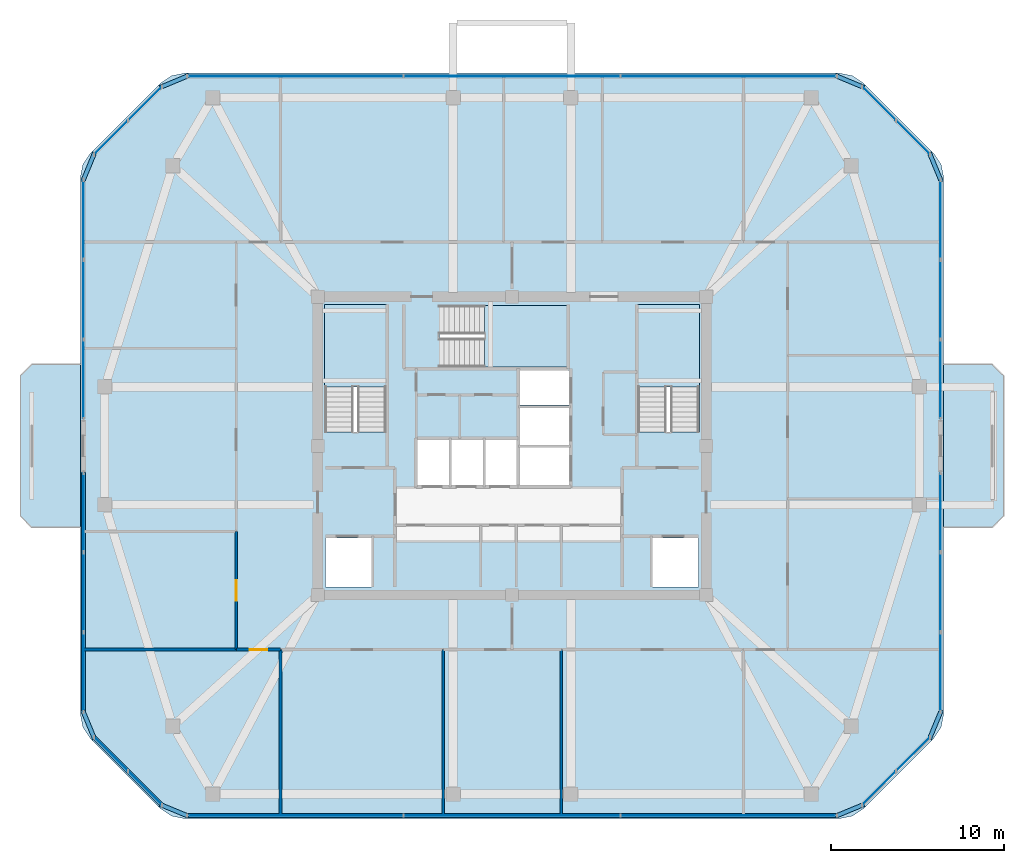
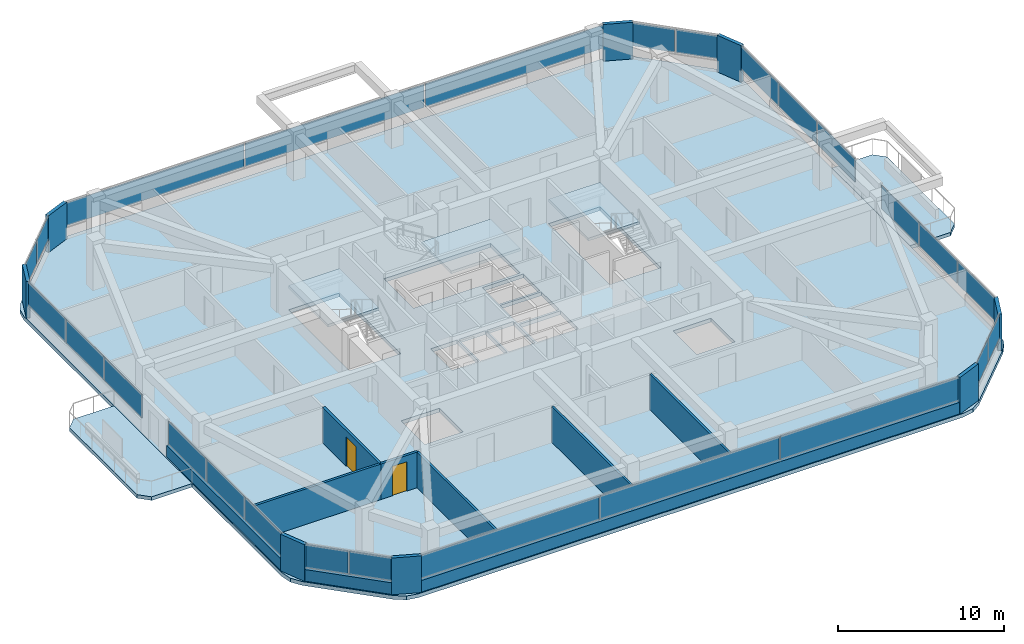
# One storey, part 8 of 14: 34 plates, 9 walls, 6 slabs, 2 doors, 2 openings, 13 elements without a shape of their own.
"""IFC4 building model written with IfcOpenShell, lengths in metres."""

from ifc_helpers import new_model, si_unit, derived_unit, direction, frame, frame_2d, origin, origin_2d, place, context, subcontext, project, spatial, polyline, rectangle, outline, extrude, material, layer, layer_set, type_object, element, fill, aggregate, save


model = new_model("IFC4")

# Units and contexts
model_context = context("Model", 3, precision=1e-05, world=origin(), true_north=direction((0.0, 1.0)))
body_context = subcontext(model_context, "Body", "Model", "MODEL_VIEW")
ifc_project = project(units=[si_unit("LENGTHUNIT", "METRE"), si_unit("AREAUNIT", "SQUARE_METRE"), si_unit("VOLUMEUNIT", "CUBIC_METRE"), si_unit("PLANEANGLEUNIT", "RADIAN"), si_unit("MASSUNIT", "GRAM", prefix="KILO"), derived_unit("THERMALTRANSMITTANCEUNIT", [(si_unit("POWERUNIT", "WATT"), 1), (si_unit("LENGTHUNIT", "METRE"), -2), (si_unit("THERMODYNAMICTEMPERATUREUNIT", "KELVIN"), -1)])], contexts=[model_context])

# Site, building, storey
site_placement = place(None, origin())
site = spatial("IfcSite", under=ifc_project, at=site_placement, CompositionType="ELEMENT")
building_placement = place(site_placement, origin())
building = spatial("IfcBuilding", under=site, at=building_placement, Name="Koralith Skygarden Medical Center", CompositionType="ELEMENT")
storey_placement = place(building_placement, frame((0.0, 0.0, 257.219970703125)))
storey = spatial("IfcBuildingStorey", under=building, at=storey_placement, Name="L66", CompositionType="ELEMENT", Elevation=257.219970703125)

# Curtain wall, plates
ifc_material_1 = material(Name="Clear Laminated Glass", Category="glass")
curtain_wall_type = type_object("IfcCurtainWallType", Name="CW-6 Zone 5 Upper Clinical Curtain Wall", PredefinedType="NOTDEFINED", material=ifc_material_1)
curtain_wall_1_placement = place(storey_placement, origin())
curtain_wall_1 = element("IfcCurtainWall", 1, at=curtain_wall_1_placement, inside=storey, type_object=curtain_wall_type, Name="Curtain Wall CW-L66-S", PredefinedType="NOTDEFINED")
ifc_layer_1 = layer(ifc_material_1, 0.0400390625)
ifc_layer_set_1 = layer_set([ifc_layer_1], Name="Clear Laminated Glass")
plate_type_1 = type_object("IfcPlateType", Name="CW-6 Hurricane Laminated IGU Panel 40", PredefinedType="CURTAIN_PANEL", material=ifc_layer_set_1)
plate_1_placement = place(storey_placement, frame((24.5029296875, 4.580078125, 0.919921875), z_axis=(0.0, 0.0, 1.0), x_axis=(1.0, 0.0, 0.0)))
plate_1 = element("IfcPlate", 2, at=plate_1_placement, type_object=plate_type_1, Name="CW-L66-S Glazed Panel 1", PredefinedType="CURTAIN_PANEL", context=body_context, shape_type="SweptSolid", body=[
    extrude(rectangle(XDim=12.406982421875, YDim=0.0400390625, at=origin_2d()), origin(), (0.0, 0.0, 1.0), 1.699951171875),
])
plate_2_placement = place(storey_placement, frame((37.0, 4.580078125, 0.919921875), z_axis=(0.0, 0.0, 1.0), x_axis=(1.0, 0.0, 0.0)))
plate_2 = element("IfcPlate", 3, at=plate_2_placement, type_object=plate_type_1, Name="CW-L66-S Glazed Panel 2", PredefinedType="CURTAIN_PANEL", context=body_context, shape_type="SweptSolid", body=[
    extrude(rectangle(XDim=12.406982421875, YDim=0.0400390625, at=origin_2d()), origin(), (0.0, 0.0, 1.0), 1.699951171875),
])
plate_3_placement = place(storey_placement, frame((49.4970703125, 4.580078125, 0.919921875), z_axis=(0.0, 0.0, 1.0), x_axis=(1.0, 0.0, 0.0)))
plate_3 = element("IfcPlate", 4, at=plate_3_placement, type_object=plate_type_1, Name="CW-L66-S Glazed Panel 3", PredefinedType="CURTAIN_PANEL", context=body_context, shape_type="SweptSolid", body=[
    extrude(rectangle(XDim=12.406982421875, YDim=0.0400390625, at=origin_2d()), origin(), (0.0, 0.0, 1.0), 1.699951171875),
])
aggregate(curtain_wall_1, [plate_1, plate_2, plate_3])

curtain_wall_2_placement = place(storey_placement, origin())
curtain_wall_2 = element("IfcCurtainWall", 5, at=curtain_wall_2_placement, inside=storey, type_object=curtain_wall_type, Name="Curtain Wall CW-L66-SE", PredefinedType="NOTDEFINED")
plate_4_placement = place(storey_placement, frame((58.177001953125, 6.162109375, 0.919921875), z_axis=(0.0, 0.0, 1.0), x_axis=(0.707106781187, 0.707106781187, 0.0)))
plate_4 = element("IfcPlate", 6, at=plate_4_placement, type_object=plate_type_1, Name="CW-L66-SE Glazed Panel 1", PredefinedType="CURTAIN_PANEL", context=body_context, shape_type="SweptSolid", body=[
    extrude(rectangle(XDim=2.68408203125, YDim=0.0400390625, at=origin_2d()), origin(), (0.0, 0.0, 1.0), 1.699951171875),
])
plate_5_placement = place(storey_placement, frame((60.137939453125, 8.123046875, 0.919921875), z_axis=(0.0, 0.0, 1.0), x_axis=(0.707106781187, 0.707106781187, 0.0)))
plate_5 = element("IfcPlate", 7, at=plate_5_placement, type_object=plate_type_1, Name="CW-L66-SE Glazed Panel 2", PredefinedType="CURTAIN_PANEL", context=body_context, shape_type="SweptSolid", body=[
    extrude(rectangle(XDim=2.68408203125, YDim=0.0400390625, at=origin_2d()), origin(), (0.0, 0.0, 1.0), 1.699951171875),
])
aggregate(curtain_wall_2, [plate_4, plate_5])

curtain_wall_3_placement = place(storey_placement, origin())
curtain_wall_3 = element("IfcCurtainWall", 8, at=curtain_wall_3_placement, inside=storey, type_object=curtain_wall_type, Name="Curtain Wall CW-L66-E-L", PredefinedType="NOTDEFINED")
plate_6_placement = place(storey_placement, frame((61.719970703125, 12.85595703125, 0.919921875), z_axis=(0.0, 0.0, 1.0), x_axis=(0.0, 1.0, 0.0)))
plate_6 = element("IfcPlate", 9, at=plate_6_placement, type_object=plate_type_1, Name="CW-L66-E-L Glazed Panel 1", PredefinedType="CURTAIN_PANEL", context=body_context, shape_type="SweptSolid", body=[
    extrude(rectangle(XDim=4.511962890625, YDim=0.0400390625, at=origin_2d()), origin(), (0.0, 0.0, 1.0), 1.699951171875),
])
plate_7_placement = place(storey_placement, frame((61.719970703125, 17.45703125, 0.919921875), z_axis=(0.0, 0.0, 1.0), x_axis=(0.0, 1.0, 0.0)))
plate_7 = element("IfcPlate", 10, at=plate_7_placement, type_object=plate_type_1, Name="CW-L66-E-L Glazed Panel 2", PredefinedType="CURTAIN_PANEL", context=body_context, shape_type="SweptSolid", body=[
    extrude(rectangle(XDim=4.511962890625, YDim=0.0400390625, at=origin_2d()), origin(), (0.0, 0.0, 1.0), 1.699951171875),
])
plate_8_placement = place(storey_placement, frame((61.719970703125, 22.05908203125, 0.919921875), z_axis=(0.0, 0.0, 1.0), x_axis=(0.0, 1.0, 0.0)))
plate_8 = element("IfcPlate", 11, at=plate_8_placement, type_object=plate_type_1, Name="CW-L66-E-L Glazed Panel 3", PredefinedType="CURTAIN_PANEL", context=body_context, shape_type="SweptSolid", body=[
    extrude(rectangle(XDim=4.511962890625, YDim=0.0400390625, at=origin_2d()), origin(), (0.0, 0.0, 1.0), 1.699951171875),
])
aggregate(curtain_wall_3, [plate_6, plate_7, plate_8])

curtain_wall_4_placement = place(storey_placement, origin())
curtain_wall_4 = element("IfcCurtainWall", 12, at=curtain_wall_4_placement, inside=storey, type_object=curtain_wall_type, Name="Curtain Wall CW-L66-E-R", PredefinedType="NOTDEFINED")
plate_9_placement = place(storey_placement, frame((61.719970703125, 29.740966796875, 0.919921875), z_axis=(0.0, 0.0, 1.0), x_axis=(0.0, 1.0, 0.0)))
plate_9 = element("IfcPlate", 13, at=plate_9_placement, type_object=plate_type_1, Name="CW-L66-E-R Glazed Panel 1", PredefinedType="CURTAIN_PANEL", context=body_context, shape_type="SweptSolid", body=[
    extrude(rectangle(XDim=4.511962890625, YDim=0.0400390625, at=origin_2d()), origin(), (0.0, 0.0, 1.0), 1.699951171875),
])
plate_10_placement = place(storey_placement, frame((61.719970703125, 34.343017578125, 0.919921875), z_axis=(0.0, 0.0, 1.0), x_axis=(0.0, 1.0, 0.0)))
plate_10 = element("IfcPlate", 14, at=plate_10_placement, type_object=plate_type_1, Name="CW-L66-E-R Glazed Panel 2", PredefinedType="CURTAIN_PANEL", context=body_context, shape_type="SweptSolid", body=[
    extrude(rectangle(XDim=4.511962890625, YDim=0.0400390625, at=origin_2d()), origin(), (0.0, 0.0, 1.0), 1.699951171875),
])
plate_11_placement = place(storey_placement, frame((61.719970703125, 38.944091796875, 0.919921875), z_axis=(0.0, 0.0, 1.0), x_axis=(0.0, 1.0, 0.0)))
plate_11 = element("IfcPlate", 15, at=plate_11_placement, type_object=plate_type_1, Name="CW-L66-E-R Glazed Panel 3", PredefinedType="CURTAIN_PANEL", context=body_context, shape_type="SweptSolid", body=[
    extrude(rectangle(XDim=4.511962890625, YDim=0.0400390625, at=origin_2d()), origin(), (0.0, 0.0, 1.0), 1.699951171875),
])
aggregate(curtain_wall_4, [plate_9, plate_10, plate_11])

curtain_wall_5_placement = place(storey_placement, origin())
curtain_wall_5 = element("IfcCurtainWall", 16, at=curtain_wall_5_placement, inside=storey, type_object=curtain_wall_type, Name="Curtain Wall CW-L66-NE", PredefinedType="NOTDEFINED")
plate_12_placement = place(storey_placement, frame((60.137939453125, 43.677001953125, 0.919921875), z_axis=(0.0, 0.0, 1.0), x_axis=(-0.707106781187, 0.707106781187, 0.0)))
plate_12 = element("IfcPlate", 17, at=plate_12_placement, type_object=plate_type_1, Name="CW-L66-NE Glazed Panel 1", PredefinedType="CURTAIN_PANEL", context=body_context, shape_type="SweptSolid", body=[
    extrude(rectangle(XDim=2.68408203125, YDim=0.0400390625, at=origin_2d()), origin(), (0.0, 0.0, 1.0), 1.699951171875),
])
plate_13_placement = place(storey_placement, frame((58.177001953125, 45.637939453125, 0.919921875), z_axis=(0.0, 0.0, 1.0), x_axis=(-0.707106781187, 0.707106781187, 0.0)))
plate_13 = element("IfcPlate", 18, at=plate_13_placement, type_object=plate_type_1, Name="CW-L66-NE Glazed Panel 2", PredefinedType="CURTAIN_PANEL", context=body_context, shape_type="SweptSolid", body=[
    extrude(rectangle(XDim=2.68408203125, YDim=0.0400390625, at=origin_2d()), origin(), (0.0, 0.0, 1.0), 1.699951171875),
])
aggregate(curtain_wall_5, [plate_12, plate_13])

curtain_wall_6_placement = place(storey_placement, origin())
curtain_wall_6 = element("IfcCurtainWall", 19, at=curtain_wall_6_placement, inside=storey, type_object=curtain_wall_type, Name="Curtain Wall CW-L66-N", PredefinedType="NOTDEFINED")
plate_14_placement = place(storey_placement, frame((49.4970703125, 47.219970703125, 0.919921875), z_axis=(0.0, 0.0, 1.0), x_axis=(-1.0, 0.0, 0.0)))
plate_14 = element("IfcPlate", 20, at=plate_14_placement, type_object=plate_type_1, Name="CW-L66-N Glazed Panel 1", PredefinedType="CURTAIN_PANEL", context=body_context, shape_type="SweptSolid", body=[
    extrude(rectangle(XDim=12.406982421875, YDim=0.0400390625, at=origin_2d()), origin(), (0.0, 0.0, 1.0), 1.699951171875),
])
plate_15_placement = place(storey_placement, frame((37.0, 47.219970703125, 0.919921875), z_axis=(0.0, 0.0, 1.0), x_axis=(-1.0, 0.0, 0.0)))
plate_15 = element("IfcPlate", 21, at=plate_15_placement, type_object=plate_type_1, Name="CW-L66-N Glazed Panel 2", PredefinedType="CURTAIN_PANEL", context=body_context, shape_type="SweptSolid", body=[
    extrude(rectangle(XDim=12.406982421875, YDim=0.0400390625, at=origin_2d()), origin(), (0.0, 0.0, 1.0), 1.699951171875),
])
plate_16_placement = place(storey_placement, frame((24.5029296875, 47.219970703125, 0.919921875), z_axis=(0.0, 0.0, 1.0), x_axis=(-1.0, 0.0, 0.0)))
plate_16 = element("IfcPlate", 22, at=plate_16_placement, type_object=plate_type_1, Name="CW-L66-N Glazed Panel 3", PredefinedType="CURTAIN_PANEL", context=body_context, shape_type="SweptSolid", body=[
    extrude(rectangle(XDim=12.406982421875, YDim=0.0400390625, at=origin_2d()), origin(), (0.0, 0.0, 1.0), 1.699951171875),
])
aggregate(curtain_wall_6, [plate_14, plate_15, plate_16])

curtain_wall_7_placement = place(storey_placement, origin())
curtain_wall_7 = element("IfcCurtainWall", 23, at=curtain_wall_7_placement, inside=storey, type_object=curtain_wall_type, Name="Curtain Wall CW-L66-NW", PredefinedType="NOTDEFINED")
plate_17_placement = place(storey_placement, frame((15.822998046875, 45.637939453125, 0.919921875), z_axis=(0.0, 0.0, 1.0), x_axis=(-0.707106781187, -0.707106781187, 0.0)))
plate_17 = element("IfcPlate", 24, at=plate_17_placement, type_object=plate_type_1, Name="CW-L66-NW Glazed Panel 1", PredefinedType="CURTAIN_PANEL", context=body_context, shape_type="SweptSolid", body=[
    extrude(rectangle(XDim=2.68408203125, YDim=0.0400390625, at=origin_2d()), origin(), (0.0, 0.0, 1.0), 1.699951171875),
])
plate_18_placement = place(storey_placement, frame((13.862060546875, 43.677001953125, 0.919921875), z_axis=(0.0, 0.0, 1.0), x_axis=(-0.707106781187, -0.707106781187, 0.0)))
plate_18 = element("IfcPlate", 25, at=plate_18_placement, type_object=plate_type_1, Name="CW-L66-NW Glazed Panel 2", PredefinedType="CURTAIN_PANEL", context=body_context, shape_type="SweptSolid", body=[
    extrude(rectangle(XDim=2.68408203125, YDim=0.0400390625, at=origin_2d()), origin(), (0.0, 0.0, 1.0), 1.699951171875),
])
aggregate(curtain_wall_7, [plate_17, plate_18])

curtain_wall_8_placement = place(storey_placement, origin())
curtain_wall_8 = element("IfcCurtainWall", 26, at=curtain_wall_8_placement, inside=storey, type_object=curtain_wall_type, Name="Curtain Wall CW-L66-W-L", PredefinedType="NOTDEFINED")
plate_19_placement = place(storey_placement, frame((12.280029296875, 38.944091796875, 0.919921875), z_axis=(0.0, 0.0, 1.0), x_axis=(0.0, -1.0, 0.0)))
plate_19 = element("IfcPlate", 27, at=plate_19_placement, type_object=plate_type_1, Name="CW-L66-W-L Glazed Panel 1", PredefinedType="CURTAIN_PANEL", context=body_context, shape_type="SweptSolid", body=[
    extrude(rectangle(XDim=4.511962890625, YDim=0.0400390625, at=origin_2d()), origin(), (0.0, 0.0, 1.0), 1.699951171875),
])
plate_20_placement = place(storey_placement, frame((12.280029296875, 34.343017578125, 0.919921875), z_axis=(0.0, 0.0, 1.0), x_axis=(0.0, -1.0, 0.0)))
plate_20 = element("IfcPlate", 28, at=plate_20_placement, type_object=plate_type_1, Name="CW-L66-W-L Glazed Panel 2", PredefinedType="CURTAIN_PANEL", context=body_context, shape_type="SweptSolid", body=[
    extrude(rectangle(XDim=4.511962890625, YDim=0.0400390625, at=origin_2d()), origin(), (0.0, 0.0, 1.0), 1.699951171875),
])
plate_21_placement = place(storey_placement, frame((12.280029296875, 29.740966796875, 0.919921875), z_axis=(0.0, 0.0, 1.0), x_axis=(0.0, -1.0, 0.0)))
plate_21 = element("IfcPlate", 29, at=plate_21_placement, type_object=plate_type_1, Name="CW-L66-W-L Glazed Panel 3", PredefinedType="CURTAIN_PANEL", context=body_context, shape_type="SweptSolid", body=[
    extrude(rectangle(XDim=4.511962890625, YDim=0.0400390625, at=origin_2d()), origin(), (0.0, 0.0, 1.0), 1.699951171875),
])
aggregate(curtain_wall_8, [plate_19, plate_20, plate_21])

curtain_wall_9_placement = place(storey_placement, origin())
curtain_wall_9 = element("IfcCurtainWall", 30, at=curtain_wall_9_placement, inside=storey, type_object=curtain_wall_type, Name="Curtain Wall CW-L66-W-R", PredefinedType="NOTDEFINED")
plate_22_placement = place(storey_placement, frame((12.280029296875, 22.05908203125, 0.919921875), z_axis=(0.0, 0.0, 1.0), x_axis=(0.0, -1.0, 0.0)))
plate_22 = element("IfcPlate", 31, at=plate_22_placement, type_object=plate_type_1, Name="CW-L66-W-R Glazed Panel 1", PredefinedType="CURTAIN_PANEL", context=body_context, shape_type="SweptSolid", body=[
    extrude(rectangle(XDim=4.511962890625, YDim=0.0400390625, at=origin_2d()), origin(), (0.0, 0.0, 1.0), 1.699951171875),
])
plate_23_placement = place(storey_placement, frame((12.280029296875, 17.45703125, 0.919921875), z_axis=(0.0, 0.0, 1.0), x_axis=(0.0, -1.0, 0.0)))
plate_23 = element("IfcPlate", 32, at=plate_23_placement, type_object=plate_type_1, Name="CW-L66-W-R Glazed Panel 2", PredefinedType="CURTAIN_PANEL", context=body_context, shape_type="SweptSolid", body=[
    extrude(rectangle(XDim=4.511962890625, YDim=0.0400390625, at=origin_2d()), origin(), (0.0, 0.0, 1.0), 1.699951171875),
])
plate_24_placement = place(storey_placement, frame((12.280029296875, 12.85595703125, 0.919921875), z_axis=(0.0, 0.0, 1.0), x_axis=(0.0, -1.0, 0.0)))
plate_24 = element("IfcPlate", 33, at=plate_24_placement, type_object=plate_type_1, Name="CW-L66-W-R Glazed Panel 3", PredefinedType="CURTAIN_PANEL", context=body_context, shape_type="SweptSolid", body=[
    extrude(rectangle(XDim=4.511962890625, YDim=0.0400390625, at=origin_2d()), origin(), (0.0, 0.0, 1.0), 1.699951171875),
])
aggregate(curtain_wall_9, [plate_22, plate_23, plate_24])

curtain_wall_10_placement = place(storey_placement, origin())
curtain_wall_10 = element("IfcCurtainWall", 34, at=curtain_wall_10_placement, inside=storey, type_object=curtain_wall_type, Name="Curtain Wall CW-L66-SW", PredefinedType="NOTDEFINED")
plate_25_placement = place(storey_placement, frame((13.862060546875, 8.123046875, 0.919921875), z_axis=(0.0, 0.0, 1.0), x_axis=(0.707106781187, -0.707106781187, 0.0)))
plate_25 = element("IfcPlate", 35, at=plate_25_placement, type_object=plate_type_1, Name="CW-L66-SW Glazed Panel 1", PredefinedType="CURTAIN_PANEL", context=body_context, shape_type="SweptSolid", body=[
    extrude(rectangle(XDim=2.68408203125, YDim=0.0400390625, at=origin_2d()), origin(), (0.0, 0.0, 1.0), 1.699951171875),
])
plate_26_placement = place(storey_placement, frame((15.822998046875, 6.162109375, 0.919921875), z_axis=(0.0, 0.0, 1.0), x_axis=(0.707106781187, -0.707106781187, 0.0)))
plate_26 = element("IfcPlate", 36, at=plate_26_placement, type_object=plate_type_1, Name="CW-L66-SW Glazed Panel 2", PredefinedType="CURTAIN_PANEL", context=body_context, shape_type="SweptSolid", body=[
    extrude(rectangle(XDim=2.68408203125, YDim=0.0400390625, at=origin_2d()), origin(), (0.0, 0.0, 1.0), 1.699951171875),
])
aggregate(curtain_wall_10, [plate_25, plate_26])

# Slabs
ifc_material_2 = material(Name="Concrete C45/55", Category="concrete")
ifc_layer_2 = layer(ifc_material_2, 0.260009765625)
ifc_layer_set_2 = layer_set([ifc_layer_2], Name="Concrete C45/55")
slab_type_1 = type_object("IfcSlabType", Name="Cantilevered Planted Balcony Slab 260", PredefinedType="FLOOR", material=ifc_layer_set_2)
slab_1_placement = place(storey_placement, frame((0.0, 0.0, -0.260009765625)))
element("IfcSlab", 37, at=slab_1_placement, inside=storey, type_object=slab_type_1, Name="L66 E Planted Sky-Garden Balcony Slab", PredefinedType="FLOOR", context=body_context, shape_type="SweptSolid", body=[
    extrude(outline(polyline([(61.89990234375, 21.199951171875), (64.699951171875, 21.199951171875), (65.35009765625, 21.85009765625), (65.35009765625, 29.949951171875), (64.699951171875, 30.60009765625), (61.89990234375, 30.60009765625), (61.89990234375, 21.199951171875)])), origin(), (0.0, 0.0, 1.0), 0.260009765625),
])
slab_2_placement = place(storey_placement, frame((0.0, 0.0, -0.260009765625)))
element("IfcSlab", 38, at=slab_2_placement, inside=storey, type_object=slab_type_1, Name="L66 W Planted Sky-Garden Balcony Slab", PredefinedType="FLOOR", context=body_context, shape_type="SweptSolid", body=[
    extrude(outline(polyline([(9.300048828125, 21.199951171875), (12.10009765625, 21.199951171875), (12.10009765625, 30.60009765625), (9.300048828125, 30.60009765625), (8.64990234375, 29.949951171875), (8.64990234375, 21.85009765625), (9.300048828125, 21.199951171875)])), origin(), (0.0, 0.0, 1.0), 0.260009765625),
])

# Stair, slab
stair_type = type_object("IfcStairType", Name="Core Exit Dogleg Concrete Stair", PredefinedType="HALF_TURN_STAIR", material=ifc_material_2)
stair_1_placement = place(storey_placement, origin())
stair_1 = element("IfcStair", 39, at=stair_1_placement, inside=storey, type_object=stair_type, Name="L66 Smokeproof Exit Stair ST1", PredefinedType="HALF_TURN_STAIR")
ifc_layer_3 = layer(ifc_material_2, 0.199951171875)
ifc_layer_set_3 = layer_set([ifc_layer_3], Name="Concrete C45/55")
slab_type_2 = type_object("IfcSlabType", Name="Core Exit Concrete Stair Landing 200", PredefinedType="LANDING", material=ifc_layer_set_3)
slab_3_placement = place(storey_placement, frame((0.0, 0.0, 1.60009765625)))
slab_3 = element("IfcSlab", 40, at=slab_3_placement, type_object=slab_type_2, Name="ST1 landing 1", PredefinedType="LANDING", context=body_context, shape_type="SweptSolid", body=[
    extrude(outline(polyline([(29.75, 29.31005859375), (29.75, 34.050048828125), (26.199951171875, 34.050048828125), (26.199951171875, 29.31005859375), (29.75, 29.31005859375)])), origin(), (0.0, 0.0, 1.0), 0.199951171875),
])
aggregate(stair_1, [slab_3])

stair_2_placement = place(storey_placement, origin())
stair_2 = element("IfcStair", 41, at=stair_2_placement, inside=storey, type_object=stair_type, Name="L66 Smokeproof Exit Stair ST2", PredefinedType="HALF_TURN_STAIR")
slab_4_placement = place(storey_placement, frame((0.0, 0.0, 1.60009765625)))
slab_4 = element("IfcSlab", 42, at=slab_4_placement, type_object=slab_type_2, Name="ST2 landing 1", PredefinedType="LANDING", context=body_context, shape_type="SweptSolid", body=[
    extrude(outline(polyline([(47.800048828125, 29.31005859375), (47.800048828125, 34.050048828125), (44.25, 34.050048828125), (44.25, 29.31005859375), (47.800048828125, 29.31005859375)])), origin(), (0.0, 0.0, 1.0), 0.199951171875),
])
aggregate(stair_2, [slab_4])

stair_3_placement = place(storey_placement, origin())
stair_3 = element("IfcStair", 43, at=stair_3_placement, inside=storey, type_object=stair_type, Name="L66 Smokeproof Exit Stair ST3", PredefinedType="HALF_TURN_STAIR")
slab_5_placement = place(storey_placement, frame((0.0, 0.0, 1.60009765625)))
slab_5 = element("IfcSlab", 44, at=slab_5_placement, type_object=slab_type_2, Name="ST3 landing 1", PredefinedType="LANDING", context=body_context, shape_type="SweptSolid", body=[
    extrude(outline(polyline([(35.409912109375, 30.449951171875), (40.199951171875, 30.449951171875), (40.199951171875, 34.0), (35.409912109375, 34.0), (35.409912109375, 30.449951171875)])), origin(), (0.0, 0.0, 1.0), 0.199951171875),
])
aggregate(stair_3, [slab_5])

# Slab
ifc_layer_4 = layer(ifc_material_2, 0.280029296875)
ifc_layer_set_4 = layer_set([ifc_layer_4], Name="Concrete C45/55")
slab_type_3 = type_object("IfcSlabType", Name="Post-Tensioned Ward Floor Plate 280", PredefinedType="FLOOR", material=ifc_layer_set_4)
slab_6_placement = place(storey_placement, frame((0.0, 0.0, -0.280029296875)))
element("IfcSlab", 45, at=slab_6_placement, inside=storey, type_object=slab_type_3, Name="Level L66 Structural Floor Slab", PredefinedType="FLOOR", context=body_context, shape_type="SweptSolid", body=[
    extrude(outline(polyline([(16.714111328125, 4.986083984375), (17.363037109375, 4.552001953125), (18.1279296875, 4.39990234375), (55.8720703125, 4.39990234375), (56.636962890625, 4.552001953125), (57.285888671875, 4.986083984375), (61.31396484375, 9.013916015625), (61.748046875, 9.6630859375), (61.89990234375, 10.427978515625), (61.89990234375, 41.3720703125), (61.748046875, 42.136962890625), (61.31396484375, 42.785888671875), (57.285888671875, 46.81396484375), (56.636962890625, 47.248046875), (55.8720703125, 47.39990234375), (18.1279296875, 47.39990234375), (17.363037109375, 47.248046875), (16.714111328125, 46.81396484375), (12.68603515625, 42.785888671875), (12.251953125, 42.136962890625), (12.10009765625, 41.3720703125), (12.10009765625, 10.427978515625), (12.251953125, 9.6630859375), (12.68603515625, 9.013916015625), (16.714111328125, 4.986083984375)]), holes=[polyline([(26.199951171875, 26.705078125), (29.75, 26.705078125), (29.75, 34.050048828125), (26.199951171875, 34.050048828125), (26.199951171875, 26.705078125)]), polyline([(44.25, 26.705078125), (47.800048828125, 26.705078125), (47.800048828125, 34.050048828125), (44.25, 34.050048828125), (44.25, 26.705078125)]), polyline([(32.804931640625, 30.449951171875), (40.199951171875, 30.449951171875), (40.199951171875, 34.0), (32.804931640625, 34.0), (32.804931640625, 30.449951171875)]), polyline([(26.25, 17.75), (28.89990234375, 17.75), (28.89990234375, 20.60009765625), (26.25, 20.60009765625), (26.25, 17.75)]), polyline([(45.10009765625, 17.75), (47.75, 17.75), (47.75, 20.60009765625), (45.10009765625, 20.60009765625), (45.10009765625, 17.75)]), polyline([(31.550048828125, 23.64990234375), (33.39990234375, 23.64990234375), (33.39990234375, 26.25), (31.550048828125, 26.25), (31.550048828125, 23.64990234375)]), polyline([(33.5, 23.64990234375), (35.35009765625, 23.64990234375), (35.35009765625, 26.25), (33.5, 26.25), (33.5, 23.64990234375)]), polyline([(35.449951171875, 23.64990234375), (37.300048828125, 23.64990234375), (37.300048828125, 26.25), (35.449951171875, 26.25), (35.449951171875, 23.64990234375)]), polyline([(37.449951171875, 23.64990234375), (40.300048828125, 23.64990234375), (40.300048828125, 25.800048828125), (37.449951171875, 25.800048828125), (37.449951171875, 23.64990234375)]), polyline([(37.449951171875, 25.949951171875), (40.300048828125, 25.949951171875), (40.300048828125, 28.10009765625), (37.449951171875, 28.10009765625), (37.449951171875, 25.949951171875)]), polyline([(37.449951171875, 28.25), (40.300048828125, 28.25), (40.300048828125, 30.25), (37.449951171875, 30.25), (37.449951171875, 28.25)])]), origin(), (0.0, 0.0, 1.0), 0.280029296875),
])

# Plates
ifc_material_3 = material(Name="Warm Oolitic Limestone Cladding", Category="masonry")
ifc_layer_5 = layer(ifc_material_3, 0.239990234375)
ifc_layer_set_5 = layer_set([ifc_layer_5], Name="Warm Oolitic Limestone Cladding")
plate_type_2 = type_object("IfcPlateType", Name="Rounded-Corner Oolitic Limestone Cladding Panel 240", PredefinedType="USERDEFINED", material=ifc_layer_set_5)
for number, where, z_axis, x_axis, name in (
    (46, (56.470947265625, 4.8798828125, 0.0), (0.0, 0.0, 1.0), (0.92388487569, 0.382670532536, 0.0), "L66 Rounded-Corner Limestone Pier 1"),
    (47, (61.4189453125, 9.8291015625, 0.0), (0.0, 0.0, 1.0), (0.382670532536, 0.92388487569, 0.0), "L66 Rounded-Corner Limestone Pier 2"),
    (48, (61.4189453125, 41.970947265625, 0.0), (0.0, 0.0, 1.0), (-0.382670532536, 0.92388487569, 0.0), "L66 Rounded-Corner Limestone Pier 3"),
    (49, (56.470947265625, 46.9189453125, 0.0), (0.0, 0.0, 1.0), (-0.92388487569, 0.382670532536, 0.0), "L66 Rounded-Corner Limestone Pier 4"),
    (50, (17.529052734375, 46.9189453125, 0.0), (0.0, 0.0, 1.0), (-0.92388487569, -0.382670532536, 0.0), "L66 Rounded-Corner Limestone Pier 5"),
    (51, (12.5810546875, 41.970947265625, 0.0), (0.0, 0.0, 1.0), (-0.382670532536, -0.92388487569, 0.0), "L66 Rounded-Corner Limestone Pier 6"),
    (52, (12.5810546875, 9.8291015625, 0.0), (0.0, 0.0, 1.0), (0.382670532536, -0.92388487569, 0.0), "L66 Rounded-Corner Limestone Pier 7"),
    (53, (17.529052734375, 4.8798828125, 0.0), (0.0, 0.0, 1.0), (0.92388487569, -0.382670532536, 0.0), "L66 Rounded-Corner Limestone Pier 8"),
):
    element("IfcPlate", number, at=place(storey_placement, frame(where, z_axis=z_axis, x_axis=x_axis)), inside=storey, type_object=plate_type_2, Name=name, ObjectType="LIMESTONE CLADDING", PredefinedType="USERDEFINED", context=body_context, shape_type="SweptSolid", body=[
        extrude(rectangle(XDim=1.81103515625, YDim=0.239990234375, at=origin_2d()), origin(), (0.0, 0.0, 1.0), 2.68994140625),
    ])

# Walls
ifc_material_4 = material(Name="Gypsum Board Partition")
ifc_layer_6 = layer(ifc_material_4, 0.14990234375)
ifc_layer_set_6 = layer_set([ifc_layer_6], Name="Gypsum Board Partition")
wall_type_1 = type_object("IfcWallType", Name="Clinical Acoustic Partition 150", PredefinedType="PARTITIONING", material=ifc_layer_set_6)
for number, where, z_axis, x_axis, name in (
    (54, (23.64990234375, 14.14990234375, 0.0), (0.0, 0.0, 1.0), (0.0, -1.0, 0.0), "L66 Clinical Acoustic Partition 150 W-PART-L66-S-01"),
    (55, (33.041015625, 14.14990234375, 0.0), (0.0, 0.0, 1.0), (0.0, -1.0, 0.0), "L66 Clinical Acoustic Partition 150 W-PART-L66-S-02"),
    (56, (39.842041015625, 14.14990234375, 0.0), (0.0, 0.0, 1.0), (0.0, -1.0, 0.0), "L66 Clinical Acoustic Partition 150 W-PART-L66-S-03"),
):
    element("IfcWall", number, at=place(storey_placement, frame(where, z_axis=z_axis, x_axis=x_axis)), inside=storey, type_object=wall_type_1, Name=name, PredefinedType="PARTITIONING", context=body_context, shape_type="SweptSolid", body=[
        extrude(rectangle(XDim=9.5498046875, YDim=0.14990234375, at=frame_2d((4.77490234375, 0.0))), origin(), (0.0, 0.0, 1.0), 2.610107421875),
    ])
ifc_layer_7 = layer(ifc_material_4, 0.1650390625)
ifc_layer_set_7 = layer_set([ifc_layer_7], Name="Gypsum Board Partition")
wall_type_2 = type_object("IfcWallType", Name="Clinical Corridor Partition 165", PredefinedType="PARTITIONING", material=ifc_layer_set_7)
wall_1_placement = place(storey_placement, frame((12.300048828125, 14.14990234375, 0.0), z_axis=(0.0, 0.0, 1.0), x_axis=(1.0, 0.0, 0.0)))
element("IfcWall", 57, at=wall_1_placement, inside=storey, type_object=wall_type_2, Name="L66 Clinical Corridor Partition 165 W-WB-L66-SW", PredefinedType="PARTITIONING", context=body_context, shape_type="SweptSolid", body=[
    extrude(rectangle(XDim=8.800048828125, YDim=0.1650390625, at=frame_2d((4.39990234375, 0.0))), origin(), (0.0, 0.0, 1.0), 2.610107421875),
])

# Wall, opening, door
wall_2_placement = place(storey_placement, frame((21.10009765625, 14.14990234375, 0.0), z_axis=(0.0, 0.0, 1.0), x_axis=(1.0, 0.0, 0.0)))
wall_2 = element("IfcWall", 58, at=wall_2_placement, inside=storey, type_object=wall_type_2, Name="L66 Clinical Corridor Partition 165 W-CORR-L66-S-01", PredefinedType="PARTITIONING", context=body_context, shape_type="SweptSolid", body=[
    extrude(rectangle(XDim=2.5498046875, YDim=0.1650390625, at=frame_2d((1.27490234375, 0.0))), origin(), (0.0, 0.0, 1.0), 2.610107421875),
])
opening_1_placement = place(wall_2_placement, frame((0.77490234375, 0.0, 0.0)))
opening_1 = element("IfcOpeningElement", 59, at=opening_1_placement, cuts=wall_2, Name="Opening D-SUP", PredefinedType="OPENING", context=body_context, shape_type="SweptSolid", body=[
    extrude(rectangle(XDim=1.0, YDim=2.14990234375, at=frame_2d((0.5, 1.074951171875))), frame((0.0, 0.092529296875, 0.0), z_axis=(0.0, -1.0, 0.0), x_axis=(1.0, 0.0, 0.0)), (0.0, 0.0, 1.0), 0.18505859375),
])
ifc_material_5 = material(Name="Aluminium 6063-T6", Category="aluminium")
door_type_1 = type_object("IfcDoorType", Name="Clinical Support Door D-SUP 1000", OperationType="NOTDEFINED", PredefinedType="DOOR", material=ifc_material_5)
door_1_placement = place(opening_1_placement, frame((1.0, 0.0, 0.0), z_axis=(0.0, 0.0, 1.0), x_axis=(-1.0, 0.0, 0.0)))
door_1 = element("IfcDoor", 60, at=door_1_placement, inside=storey, type_object=door_type_1, Name="L66 Speech Swallow Treatment Room 06 Door", OperationType="SINGLE_SWING_LEFT", OverallHeight=2.14990234375, OverallWidth=1.0, PredefinedType="DOOR", context=body_context, shape_type="SweptSolid", body=[
    extrude(rectangle(XDim=1.0, YDim=2.14990234375, at=frame_2d((0.5, 1.074951171875))), frame((0.0, 0.02490234375, 0.0), z_axis=(0.0, -1.0, 0.0), x_axis=(1.0, 0.0, 0.0)), (0.0, 0.0, 1.0), 0.050048828125),
])
fill(opening_1, door_1)

wall_3_placement = place(storey_placement, frame((21.10009765625, 14.14990234375, 0.0), z_axis=(0.0, 0.0, 1.0), x_axis=(0.0, 1.0, 0.0)))
wall_3 = element("IfcWall", 61, at=wall_3_placement, inside=storey, type_object=wall_type_2, Name="L66 Clinical Corridor Partition 165 W-CORR-L66-W-01", PredefinedType="PARTITIONING", context=body_context, shape_type="SweptSolid", body=[
    extrude(rectangle(XDim=6.815185546875, YDim=0.1650390625, at=frame_2d((3.40771484375, 0.0))), origin(), (0.0, 0.0, 1.0), 2.610107421875),
])
opening_2_placement = place(wall_3_placement, frame((2.806884765625, 0.0, 0.0)))
opening_2 = element("IfcOpeningElement", 62, at=opening_2_placement, cuts=wall_3, Name="Opening D-CLN", PredefinedType="OPENING", context=body_context, shape_type="SweptSolid", body=[
    extrude(rectangle(XDim=1.199951171875, YDim=2.14990234375, at=frame_2d((0.60009765625, 1.074951171875))), frame((0.0, 0.092529296875, 0.0), z_axis=(0.0, -1.0, 0.0), x_axis=(1.0, 0.0, 0.0)), (0.0, 0.0, 1.0), 0.18505859375),
])
door_type_2 = type_object("IfcDoorType", Name="Clinical Corridor Door D-CLN 1200", OperationType="NOTDEFINED", PredefinedType="DOOR", material=ifc_material_5)
door_2_placement = place(opening_2_placement, frame((1.199951171875, 0.0, 0.0), z_axis=(0.0, 0.0, 1.0), x_axis=(-1.0, 0.0, 0.0)))
door_2 = element("IfcDoor", 63, at=door_2_placement, inside=storey, type_object=door_type_2, Name="L66 Vestibular Testing Exam Room 11 Door", OperationType="SINGLE_SWING_RIGHT", OverallHeight=2.14990234375, OverallWidth=1.199951171875, PredefinedType="DOOR", context=body_context, shape_type="SweptSolid", body=[
    extrude(rectangle(XDim=1.199951171875, YDim=2.14990234375, at=frame_2d((0.60009765625, 1.074951171875))), frame((0.0, 0.02490234375, 0.0), z_axis=(0.0, -1.0, 0.0), x_axis=(1.0, 0.0, 0.0)), (0.0, 0.0, 1.0), 0.050048828125),
])
fill(opening_2, door_2)

# Walls
ifc_layer_8 = layer(ifc_material_3, 0.239990234375)
ifc_layer_set_8 = layer_set([ifc_layer_8], Name="Warm Oolitic Limestone Cladding")
wall_type_3 = type_object("IfcWallType", Name="Limestone Spandrel Sill Backup Wall 240", PredefinedType="SOLIDWALL", material=ifc_layer_set_8)
wall_4_placement = place(storey_placement, frame((18.2548828125, 4.580078125, 0.0), z_axis=(0.0, 0.0, 1.0), x_axis=(1.0, 0.0, 0.0)))
element("IfcWall", 64, at=wall_4_placement, inside=storey, type_object=wall_type_3, Name="L66 Sill Spandrel S", PredefinedType="SOLIDWALL", context=body_context, shape_type="SweptSolid", body=[
    extrude(rectangle(XDim=37.490234375, YDim=0.239990234375, at=frame_2d((18.7451171875, 0.0))), origin(), (0.0, 0.0, 1.0), 0.85009765625),
])
wall_5_placement = place(storey_placement, frame((12.280029296875, 24.360107421875, 0.0), z_axis=(0.0, 0.0, 1.0), x_axis=(0.0, -1.0, 0.0)))
element("IfcWall", 65, at=wall_5_placement, inside=storey, type_object=wall_type_3, Name="L66 Sill Spandrel W-R", PredefinedType="SOLIDWALL", context=body_context, shape_type="SweptSolid", body=[
    extrude(rectangle(XDim=13.80517578125, YDim=0.239990234375, at=frame_2d((6.902587890625, 0.0))), origin(), (0.0, 0.0, 1.0), 0.85009765625),
])
wall_6_placement = place(storey_placement, frame((12.881103515625, 9.10400390625, 0.0), z_axis=(0.0, 0.0, 1.0), x_axis=(0.707084777957, -0.707128783731, 0.0)))
element("IfcWall", 66, at=wall_6_placement, inside=storey, type_object=wall_type_3, Name="L66 Sill Spandrel SW", PredefinedType="SOLIDWALL", context=body_context, shape_type="SweptSolid", body=[
    extrude(rectangle(XDim=5.5478515625, YDim=0.239990234375, at=frame_2d((2.77392578125, 0.0))), origin(), (0.0, 0.0, 1.0), 0.85009765625),
])

save(model, "model.ifc")
